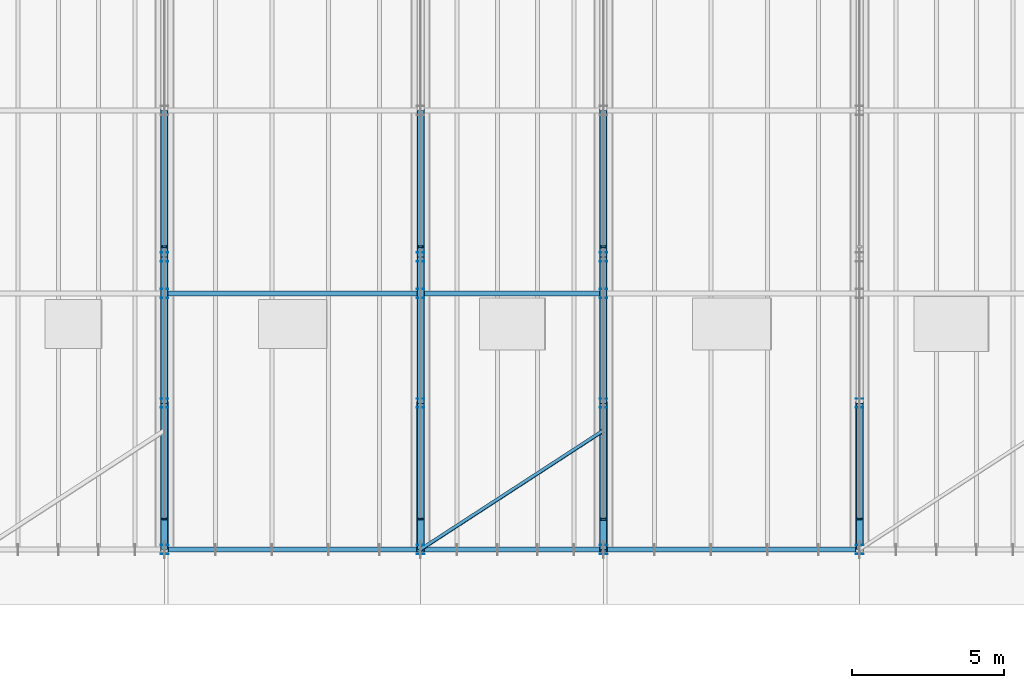
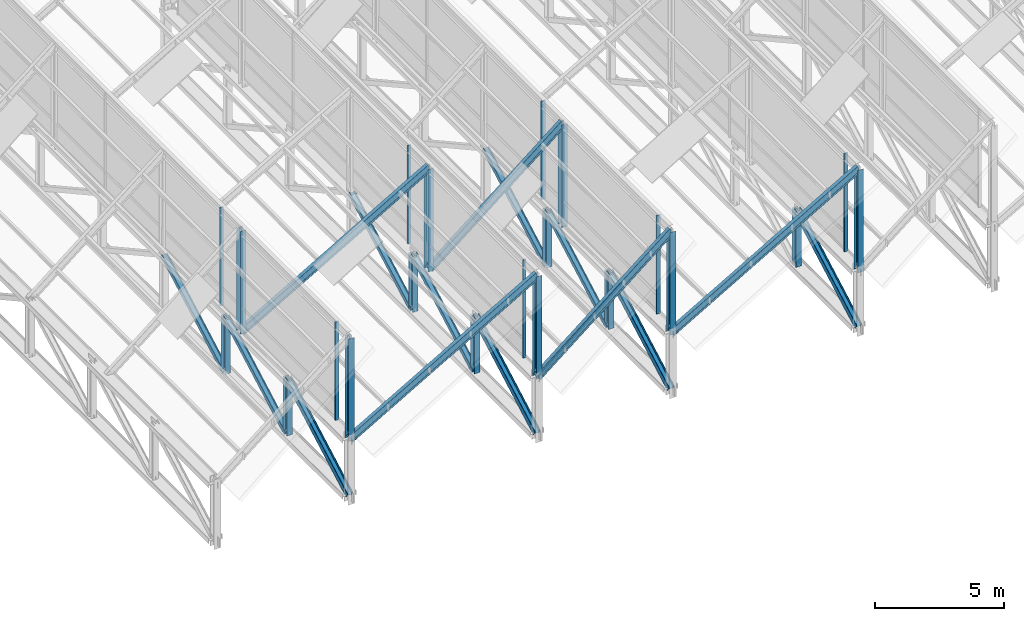
# One storey, part 16 of 101: 32 members, 5 beams, 4 elements without a shape of their own.
"""IFC4 building model written with IfcOpenShell, lengths in metres."""

from ifc_helpers import new_model, si_unit, direction, frame, origin, origin_2d, place, context, subcontext, project, spatial, rectangle, i_section, l_section, extrude, material, material_profile, profile_set, type_object, element, aggregate, save


model = new_model("IFC4")

# Units and contexts
model_context = context("Model", 3, precision=1e-05, world=origin(), true_north=direction((0.0, 1.0)))
body_context = subcontext(model_context, "Body", "Model", "MODEL_VIEW")
ifc_project = project(units=[si_unit("LENGTHUNIT", "METRE"), si_unit("AREAUNIT", "SQUARE_METRE"), si_unit("VOLUMEUNIT", "CUBIC_METRE"), si_unit("PLANEANGLEUNIT", "RADIAN"), si_unit("MASSUNIT", "GRAM", prefix="KILO"), si_unit("THERMODYNAMICTEMPERATUREUNIT", "KELVIN")], contexts=[model_context])

# Site, building, storey
site_placement = place(None, origin())
site = spatial("IfcSite", under=ifc_project, at=site_placement, CompositionType="ELEMENT")
building_placement = place(site_placement, origin())
building = spatial("IfcBuilding", under=site, at=building_placement, Name="Thalorik Housing Commons", CompositionType="ELEMENT")
storey_placement = place(building_placement, frame((0.0, 0.0, 8.10009765625)))
storey = spatial("IfcBuildingStorey", under=building, at=storey_placement, Name="L02", CompositionType="ELEMENT", Elevation=8.10009765625)

# Curtain wall, members
ifc_material_1 = material(Name="Anodised aluminium and solar-control low-E glass", Category="aluminium")
curtain_wall_type = type_object("IfcCurtainWallType", Name="ARC-CW-CLER", PredefinedType="USERDEFINED", material=ifc_material_1)
curtain_wall_1_placement = place(storey_placement, origin())
curtain_wall_1 = element("IfcCurtainWall", 1, at=curtain_wall_1_placement, inside=storey, type_object=curtain_wall_type, Name="L02 Curtain Wall CW-SAW-CLER-02", ObjectType="CURTAIN WALL", PredefinedType="USERDEFINED")
ifc_material_2 = material(Name="Anodised aluminium 6063-T6", Category="aluminium")
ifc_material_profile_1 = material_profile(ifc_material_2, rectangle(XDim=0.054931640625, YDim=0.139892578125, at=origin_2d()), Name="ALU MUL 55x140", Category="aluminium")
ifc_profile_set_1 = profile_set([ifc_material_profile_1], Name="Anodised aluminium 6063-T6")
member_type_1 = type_object("IfcMemberType", Name="ARC-CW-MUL-55x140", PredefinedType="MULLION", material=ifc_profile_set_1)
member_1_placement = place(storey_placement, frame((80.39990234375, 58.60009765625, 3.2998046875), z_axis=(0.0, 0.0, 1.0), x_axis=(0.0, 1.0, 0.0)))
member_1 = element("IfcMember", 2, at=member_1_placement, type_object=member_type_1, Name="CW-SAW-CLER-02 Mullion 1", PredefinedType="MULLION", context=body_context, shape_type="SweptSolid", body=[
    extrude(rectangle(XDim=0.054931640625, YDim=0.139892578125, at=origin_2d()), origin(), (0.0, 0.0, 1.0), 4.650146484375),
])
member_2_placement = place(storey_placement, frame((80.39990234375, 67.533203125, 3.2998046875), z_axis=(0.0, 0.0, 1.0), x_axis=(0.0, 1.0, 0.0)))
member_2 = element("IfcMember", 3, at=member_2_placement, type_object=member_type_1, Name="CW-SAW-CLER-02 Mullion 2", PredefinedType="MULLION", context=body_context, shape_type="SweptSolid", body=[
    extrude(rectangle(XDim=0.054931640625, YDim=0.139892578125, at=origin_2d()), origin(), (0.0, 0.0, 1.0), 4.650146484375),
])
aggregate(curtain_wall_1, [member_1, member_2])

curtain_wall_2_placement = place(storey_placement, origin())
curtain_wall_2 = element("IfcCurtainWall", 4, at=curtain_wall_2_placement, inside=storey, type_object=curtain_wall_type, Name="L02 Curtain Wall CW-SAW-CLER-01", ObjectType="CURTAIN WALL", PredefinedType="USERDEFINED")
ifc_material_profile_2 = material_profile(ifc_material_2, rectangle(XDim=0.06005859375, YDim=0.159912109375, at=origin_2d()), Name="ALU MUL 60x160", Category="aluminium")
ifc_profile_set_2 = profile_set([ifc_material_profile_2], Name="Anodised aluminium 6063-T6")
member_type_2 = type_object("IfcMemberType", Name="ARC-CW-MUL-60x160", PredefinedType="MULLION", material=ifc_profile_set_2)
member_3_placement = place(storey_placement, frame((72.0, 58.60009765625, 3.2998046875), z_axis=(0.0, 0.0, 1.0), x_axis=(0.0, 1.0, 0.0)))
member_3 = element("IfcMember", 5, at=member_3_placement, type_object=member_type_2, Name="CW-SAW-CLER-01 Mullion 1", PredefinedType="MULLION", context=body_context, shape_type="SweptSolid", body=[
    extrude(rectangle(XDim=0.06005859375, YDim=0.159912109375, at=origin_2d()), origin(), (0.0, 0.0, 1.0), 4.650146484375),
])
member_4_placement = place(storey_placement, frame((72.0, 67.533203125, 3.2998046875), z_axis=(0.0, 0.0, 1.0), x_axis=(0.0, 1.0, 0.0)))
member_4 = element("IfcMember", 6, at=member_4_placement, type_object=member_type_2, Name="CW-SAW-CLER-01 Mullion 2", PredefinedType="MULLION", context=body_context, shape_type="SweptSolid", body=[
    extrude(rectangle(XDim=0.06005859375, YDim=0.159912109375, at=origin_2d()), origin(), (0.0, 0.0, 1.0), 4.650146484375),
])
aggregate(curtain_wall_2, [member_3, member_4])

# Curtain wall, member
curtain_wall_3_placement = place(storey_placement, origin())
curtain_wall_3 = element("IfcCurtainWall", 7, at=curtain_wall_3_placement, inside=storey, type_object=curtain_wall_type, Name="L02 Curtain Wall CW-SAW-CLER-04", ObjectType="CURTAIN WALL", PredefinedType="USERDEFINED")
member_5_placement = place(storey_placement, frame((94.800048828125, 58.60009765625, 3.2998046875), z_axis=(0.0, 0.0, 1.0), x_axis=(0.0, 1.0, 0.0)))
member_5 = element("IfcMember", 8, at=member_5_placement, type_object=member_type_2, Name="CW-SAW-CLER-04 Mullion 1", PredefinedType="MULLION", context=body_context, shape_type="SweptSolid", body=[
    extrude(rectangle(XDim=0.06005859375, YDim=0.159912109375, at=origin_2d()), origin(), (0.0, 0.0, 1.0), 4.650146484375),
])
aggregate(curtain_wall_3, [member_5])

# Curtain wall, members
curtain_wall_4_placement = place(storey_placement, origin())
curtain_wall_4 = element("IfcCurtainWall", 9, at=curtain_wall_4_placement, inside=storey, type_object=curtain_wall_type, Name="L02 Curtain Wall CW-SAW-CLER-03", ObjectType="CURTAIN WALL", PredefinedType="USERDEFINED")
ifc_material_profile_3 = material_profile(ifc_material_2, rectangle(XDim=0.06494140625, YDim=0.179931640625, at=origin_2d()), Name="ALU MUL 65x180", Category="aluminium")
ifc_profile_set_3 = profile_set([ifc_material_profile_3], Name="Anodised aluminium 6063-T6")
member_type_3 = type_object("IfcMemberType", Name="ARC-CW-MUL-65x180", PredefinedType="MULLION", material=ifc_profile_set_3)
member_6_placement = place(storey_placement, frame((86.39990234375, 58.60009765625, 3.2998046875), z_axis=(0.0, 0.0, 1.0), x_axis=(0.0, 1.0, 0.0)))
member_6 = element("IfcMember", 10, at=member_6_placement, type_object=member_type_3, Name="CW-SAW-CLER-03 Mullion 1", PredefinedType="MULLION", context=body_context, shape_type="SweptSolid", body=[
    extrude(rectangle(XDim=0.06494140625, YDim=0.179931640625, at=origin_2d()), origin(), (0.0, 0.0, 1.0), 4.650146484375),
])
member_7_placement = place(storey_placement, frame((86.39990234375, 67.533203125, 3.2998046875), z_axis=(0.0, 0.0, 1.0), x_axis=(0.0, 1.0, 0.0)))
member_7 = element("IfcMember", 11, at=member_7_placement, type_object=member_type_3, Name="CW-SAW-CLER-03 Mullion 2", PredefinedType="MULLION", context=body_context, shape_type="SweptSolid", body=[
    extrude(rectangle(XDim=0.06494140625, YDim=0.179931640625, at=origin_2d()), origin(), (0.0, 0.0, 1.0), 4.650146484375),
])
aggregate(curtain_wall_4, [member_6, member_7])

# Beams
ifc_material_3 = material(Name="Steel S355", Category="steel")
ifc_material_profile_4 = material_profile(ifc_material_3, i_section(OverallWidth=0.1708984375, OverallDepth=0.35498046875, WebThickness=0.007080078125, FlangeThickness=0.01171875, FilletRadius=0.010009765625, at=origin_2d()), Name="W360x51", Category="steel")
ifc_profile_set_4 = profile_set([ifc_material_profile_4], Name="Steel S355")
beam_type = type_object("IfcBeamType", Name="STR-BM-W360x51", PredefinedType="BEAM", material=ifc_profile_set_4)
for number, where, z_axis, x_axis, name in (
    (12, (72.0, 57.60009765625, 3.0), (0.866017919902, 0.0, 0.500012962241), (0.0, 1.0, 0.0), "L02 Sawtooth Bay 2 Rafter 1"),
    (13, (72.0, 66.0, 3.0), (0.866017919902, 0.0, 0.500012962241), (0.0, 1.0, 0.0), "L02 Sawtooth Bay 2 Rafter 2"),
):
    element("IfcBeam", number, at=place(storey_placement, frame(where, z_axis=z_axis, x_axis=x_axis)), inside=storey, type_object=beam_type, Name=name, PredefinedType="BEAM", context=body_context, shape_type="SweptSolid", body=[
        extrude(i_section(OverallWidth=0.1708984375, OverallDepth=0.35498046875, WebThickness=0.007080078125, FlangeThickness=0.01171875, FilletRadius=0.010009765625, at=origin_2d()), origin(), (0.0, 0.0, 1.0), 9.699462890625),
    ])
for number, where, z_axis, x_axis, name in (
    (14, (80.39990234375, 57.60009765625, 3.0), (0.777706721002, 0.0, 0.628627279163), (0.0, 1.0, 0.0), "L02 Sawtooth Bay 3 Rafter 1"),
    (15, (80.39990234375, 66.0, 3.0), (0.777706721002, 0.0, 0.628627279163), (0.0, 1.0, 0.0), "L02 Sawtooth Bay 3 Rafter 2"),
):
    element("IfcBeam", number, at=place(storey_placement, frame(where, z_axis=z_axis, x_axis=x_axis)), inside=storey, type_object=beam_type, Name=name, PredefinedType="BEAM", context=body_context, shape_type="SweptSolid", body=[
        extrude(i_section(OverallWidth=0.1708984375, OverallDepth=0.35498046875, WebThickness=0.007080078125, FlangeThickness=0.01171875, FilletRadius=0.010009765625, at=origin_2d()), origin(), (0.0, 0.0, 1.0), 7.715087890625),
    ])
beam_placement = place(storey_placement, frame((86.39990234375, 57.60009765625, 3.0), z_axis=(0.86602421266, 0.0, 0.500002063083), x_axis=(0.0, 1.0, 0.0)))
element("IfcBeam", 16, at=beam_placement, inside=storey, type_object=beam_type, Name="L02 Sawtooth Bay 4 Rafter 1", PredefinedType="BEAM", context=body_context, shape_type="SweptSolid", body=[
    extrude(i_section(OverallWidth=0.1708984375, OverallDepth=0.35498046875, WebThickness=0.007080078125, FlangeThickness=0.01171875, FilletRadius=0.010009765625, at=origin_2d()), origin(), (0.0, 0.0, 1.0), 9.69970703125),
])

# Members
ifc_material_profile_5 = material_profile(ifc_material_3, i_section(OverallWidth=0.201904296875, OverallDepth=0.2470703125, WebThickness=0.00732421875, FlangeThickness=0.010986328125, FilletRadius=0.010009765625, at=origin_2d()), Name="W250x49", Category="steel")
ifc_profile_set_5 = profile_set([ifc_material_profile_5], Name="Steel S355")
member_type_4 = type_object("IfcMemberType", Name="STR-MEM-DIAG-250", PredefinedType="BRACE", material=ifc_profile_set_5)
for number, where, z_axis, x_axis, name in (
    (17, (72.0, 62.39990234375, 0.349853515625), (0.0, 0.875435421067, 0.48333510481), (0.0, -0.48333510481, 0.875435421067), "L02 Sawtooth Truss 2 Web Diagonal 2"),
    (18, (72.0, 67.199951171875, 0.349853515625), (0.0, 0.875435421067, 0.48333510481), (0.0, -0.48333510481, 0.875435421067), "L02 Sawtooth Truss 2 Web Diagonal 3"),
    (19, (80.39990234375, 62.39990234375, 0.349853515625), (0.0, 0.875435421067, 0.48333510481), (0.0, -0.48333510481, 0.875435421067), "L02 Sawtooth Truss 3 Web Diagonal 2"),
    (20, (80.39990234375, 67.199951171875, 0.349853515625), (0.0, 0.875435421067, 0.48333510481), (0.0, -0.48333510481, 0.875435421067), "L02 Sawtooth Truss 3 Web Diagonal 3"),
    (21, (86.39990234375, 62.39990234375, 0.349853515625), (0.0, 0.875435421067, 0.48333510481), (0.0, -0.48333510481, 0.875435421067), "L02 Sawtooth Truss 4 Web Diagonal 2"),
    (22, (86.39990234375, 67.199951171875, 0.349853515625), (0.0, 0.875435421067, 0.48333510481), (0.0, -0.48333510481, 0.875435421067), "L02 Sawtooth Truss 4 Web Diagonal 3"),
):
    element("IfcMember", number, at=place(storey_placement, frame(where, z_axis=z_axis, x_axis=x_axis)), inside=storey, type_object=member_type_4, Name=name, PredefinedType="BRACE", context=body_context, shape_type="SweptSolid", body=[
        extrude(i_section(OverallWidth=0.201904296875, OverallDepth=0.2470703125, WebThickness=0.00732421875, FlangeThickness=0.010986328125, FilletRadius=0.010009765625, at=origin_2d()), origin(), (0.0, 0.0, 1.0), 5.483154296875),
    ])
ifc_material_profile_6 = material_profile(ifc_material_3, i_section(OverallWidth=0.25390625, OverallDepth=0.2529296875, WebThickness=0.008544921875, FlangeThickness=0.01416015625, FilletRadius=0.010009765625, at=origin_2d()), Name="W250x73", Category="steel")
ifc_profile_set_6 = profile_set([ifc_material_profile_6], Name="Steel S355")
member_type_5 = type_object("IfcMemberType", Name="STR-MEM-DIAG-250H", PredefinedType="BRACE", material=ifc_profile_set_6)
for number, where, z_axis, x_axis, name in (
    (23, (72.0, 57.60009765625, 0.349853515625), (0.0, 0.875425018498, 0.48335394587), (0.0, -0.48335394587, 0.875425018498), "L02 Sawtooth Truss 2 Web Diagonal 1"),
    (24, (80.39990234375, 57.60009765625, 0.349853515625), (0.0, 0.875425018498, 0.48335394587), (0.0, -0.48335394587, 0.875425018498), "L02 Sawtooth Truss 3 Web Diagonal 1"),
    (25, (86.39990234375, 57.60009765625, 0.349853515625), (0.0, 0.875425018498, 0.48335394587), (0.0, -0.48335394587, 0.875425018498), "L02 Sawtooth Truss 4 Web Diagonal 1"),
    (26, (94.800048828125, 57.60009765625, 0.349853515625), (0.0, 0.875425018498, 0.48335394587), (0.0, -0.48335394587, 0.875425018498), "L02 Sawtooth Truss 5 Web Diagonal 1"),
):
    element("IfcMember", number, at=place(storey_placement, frame(where, z_axis=z_axis, x_axis=x_axis)), inside=storey, type_object=member_type_5, Name=name, PredefinedType="BRACE", context=body_context, shape_type="SweptSolid", body=[
        extrude(i_section(OverallWidth=0.25390625, OverallDepth=0.2529296875, WebThickness=0.008544921875, FlangeThickness=0.01416015625, FilletRadius=0.010009765625, at=origin_2d()), origin(), (0.0, 0.0, 1.0), 5.48291015625),
    ])
ifc_material_profile_7 = material_profile(ifc_material_3, i_section(OverallWidth=0.25390625, OverallDepth=0.305908203125, WebThickness=0.0087890625, FlangeThickness=0.0146484375, FilletRadius=0.010009765625, at=origin_2d()), Name="W310x79", Category="steel")
ifc_profile_set_7 = profile_set([ifc_material_profile_7], Name="Steel S355")
member_type_6 = type_object("IfcMemberType", Name="STR-MEM-POST-310", PredefinedType="POST", material=ifc_profile_set_7)
for number, where, z_axis, x_axis, name in (
    (27, (72.0, 62.39990234375, 0.349853515625), (0.0, 0.0, 1.0), (1.0, 0.0, 0.0), "L02 Sawtooth Truss 2 Vertical 1"),
    (28, (72.0, 67.199951171875, 0.349853515625), (0.0, 0.0, 1.0), (1.0, 0.0, 0.0), "L02 Sawtooth Truss 2 Vertical 2"),
    (29, (80.39990234375, 62.39990234375, 0.349853515625), (0.0, 0.0, 1.0), (1.0, 0.0, 0.0), "L02 Sawtooth Truss 3 Vertical 1"),
    (30, (80.39990234375, 67.199951171875, 0.349853515625), (0.0, 0.0, 1.0), (1.0, 0.0, 0.0), "L02 Sawtooth Truss 3 Vertical 2"),
    (31, (86.39990234375, 62.39990234375, 0.349853515625), (0.0, 0.0, 1.0), (1.0, 0.0, 0.0), "L02 Sawtooth Truss 4 Vertical 1"),
    (32, (86.39990234375, 67.199951171875, 0.349853515625), (0.0, 0.0, 1.0), (1.0, 0.0, 0.0), "L02 Sawtooth Truss 4 Vertical 2"),
    (33, (94.800048828125, 62.39990234375, 0.349853515625), (0.0, 0.0, 1.0), (1.0, 0.0, 0.0), "L02 Sawtooth Truss 5 Vertical 1"),
):
    element("IfcMember", number, at=place(storey_placement, frame(where, z_axis=z_axis, x_axis=x_axis)), inside=storey, type_object=member_type_6, Name=name, PredefinedType="POST", context=body_context, shape_type="SweptSolid", body=[
        extrude(i_section(OverallWidth=0.25390625, OverallDepth=0.305908203125, WebThickness=0.0087890625, FlangeThickness=0.0146484375, FilletRadius=0.010009765625, at=origin_2d()), origin(), (0.0, 0.0, 1.0), 2.650146484375),
    ])
for number, where, z_axis, x_axis, name in (
    (34, (72.0, 57.60009765625, 3.0), (0.0, 0.0, 1.0), (1.0, 0.0, 0.0), "L02 Sawtooth Bay 1 Clerestory Post 1"),
    (35, (72.0, 66.0, 3.0), (0.0, 0.0, 1.0), (1.0, 0.0, 0.0), "L02 Sawtooth Bay 1 Clerestory Post 2"),
    (36, (80.39990234375, 57.60009765625, 3.0), (0.0, 0.0, 1.0), (1.0, 0.0, 0.0), "L02 Sawtooth Bay 2 Clerestory Post 1"),
    (37, (80.39990234375, 66.0, 3.0), (0.0, 0.0, 1.0), (1.0, 0.0, 0.0), "L02 Sawtooth Bay 2 Clerestory Post 2"),
    (38, (86.39990234375, 57.60009765625, 3.0), (0.0, 0.0, 1.0), (1.0, 0.0, 0.0), "L02 Sawtooth Bay 3 Clerestory Post 1"),
    (39, (86.39990234375, 66.0, 3.0), (0.0, 0.0, 1.0), (1.0, 0.0, 0.0), "L02 Sawtooth Bay 3 Clerestory Post 2"),
    (40, (94.800048828125, 57.60009765625, 3.0), (0.0, 0.0, 1.0), (1.0, 0.0, 0.0), "L02 Sawtooth Bay 4 Clerestory Post 1"),
):
    element("IfcMember", number, at=place(storey_placement, frame(where, z_axis=z_axis, x_axis=x_axis)), inside=storey, type_object=member_type_6, Name=name, PredefinedType="POST", context=body_context, shape_type="SweptSolid", body=[
        extrude(i_section(OverallWidth=0.25390625, OverallDepth=0.305908203125, WebThickness=0.0087890625, FlangeThickness=0.0146484375, FilletRadius=0.010009765625, at=origin_2d()), origin(), (0.0, 0.0, 1.0), 4.849853515625),
    ])
ifc_material_profile_8 = material_profile(ifc_material_3, l_section(Depth=0.1201171875, Width=0.1201171875, Thickness=0.011962890625, FilletRadius=0.009033203125, at=origin_2d()), Name="L120x120x12", Category="steel")
ifc_profile_set_8 = profile_set([ifc_material_profile_8], Name="Steel S355")
member_type_7 = type_object("IfcMemberType", Name="STR-MEM-TIE-L120", PredefinedType="BRACE", material=ifc_profile_set_8)
member_8_placement = place(storey_placement, frame((80.39990234375, 57.60009765625, 3.0), z_axis=(0.838449851971, 0.544978757136, 0.0), x_axis=(-0.544978757136, 0.838449851971, 0.0)))
element("IfcMember", 41, at=member_8_placement, inside=storey, type_object=member_type_7, Name="L02 Sawtooth Bay 3 Wind Brace S", PredefinedType="BRACE", context=body_context, shape_type="SweptSolid", body=[
    extrude(l_section(Depth=0.1201171875, Width=0.1201171875, Thickness=0.011962890625, FilletRadius=0.009033203125, at=origin_2d()), origin(), (0.0, 0.0, 1.0), 7.156005859375),
])

save(model, "model.ifc")
